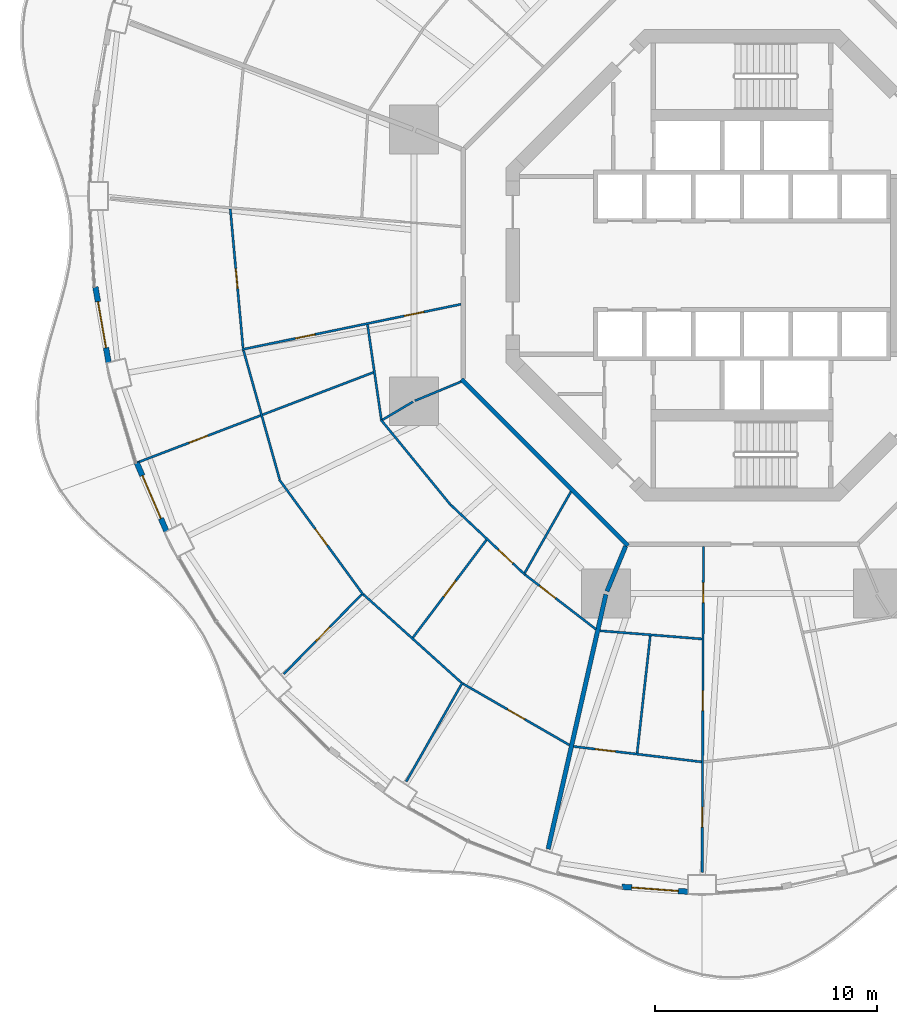
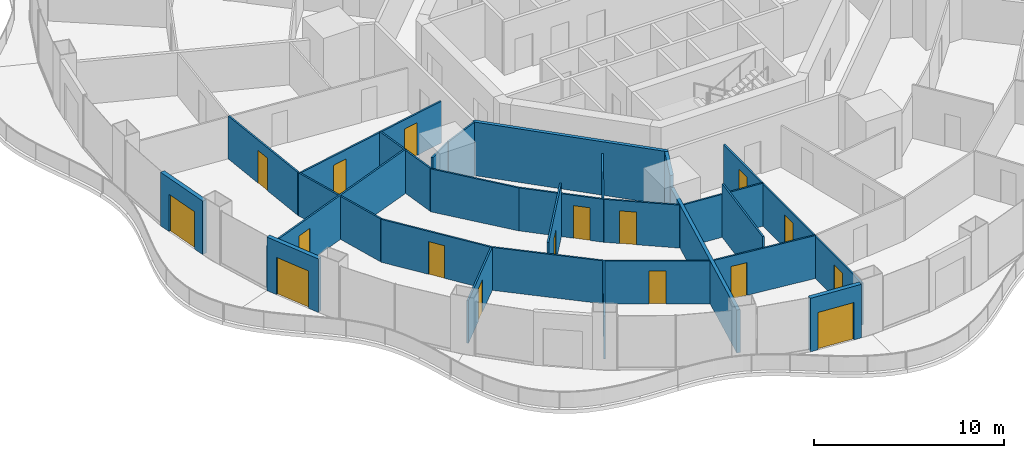
# One storey, part 14 of 22: 27 walls, 17 doors, 17 openings.
"""IFC4 building model written with IfcOpenShell, lengths in metres."""

from ifc_helpers import new_model, si_unit, direction, frame, frame_2d, origin, place, context, subcontext, project, spatial, rectangle, extrude, material, layer, layer_set, type_object, element, fill, save


model = new_model("IFC4")

# Units and contexts
model_context = context("Model", 3, precision=1e-05, world=origin(), true_north=direction((0.0, 1.0)))
body_context = subcontext(model_context, "Body", "Model", "MODEL_VIEW")
ifc_project = project(units=[si_unit("LENGTHUNIT", "METRE"), si_unit("AREAUNIT", "SQUARE_METRE"), si_unit("VOLUMEUNIT", "CUBIC_METRE"), si_unit("PLANEANGLEUNIT", "RADIAN"), si_unit("MASSUNIT", "GRAM", prefix="KILO")], contexts=[model_context])

# Site, building, storey
site_placement = place(None, origin())
site = spatial("IfcSite", under=ifc_project, at=site_placement, CompositionType="ELEMENT")
building_placement = place(site_placement, origin())
building = spatial("IfcBuilding", under=site, at=building_placement, Name="Nagisa Residences", CompositionType="ELEMENT")
storey_placement = place(building_placement, frame((0.0, 0.0, 80.699951171875)))
storey = spatial("IfcBuildingStorey", under=building, at=storey_placement, Name="L19", CompositionType="ELEMENT", Elevation=80.699951171875)

# Walls
ifc_material_1 = material(Name="Gypsum board on steel studs", Category="steel")
ifc_layer_1 = layer(ifc_material_1, 0.199951171875)
ifc_layer_set_1 = layer_set([ifc_layer_1], Name="Apartment compartment wall EI60 200")
wall_type_1 = type_object("IfcWallType", Name="Apartment compartment wall EI60 200", PredefinedType="PARTITIONING", material=ifc_layer_set_1)
wall_1_placement = place(storey_placement, frame((-5.24267578125, -12.6572265625, 0.0), z_axis=(0.0, 0.0, 1.0), x_axis=(-0.382668627144, -0.923885664896, 0.0)))
element("IfcWall", 1, at=wall_1_placement, inside=storey, type_object=wall_type_1, Name="wall:L19:u04", PredefinedType="PARTITIONING", context=body_context, shape_type="SweptSolid", body=[
    extrude(rectangle(XDim=2.200439453125, YDim=0.199951171875, at=frame_2d((1.10009765625, 0.0))), origin(), (0.0, 0.0, 1.0), 3.43994140625),
])
wall_2_placement = place(storey_placement, frame((-6.134033203125, -14.830810546875, 0.0), z_axis=(0.0, 0.0, 1.0), x_axis=(-0.221225405869, -0.975222702667, 0.0)))
element("IfcWall", 2, at=wall_2_placement, inside=storey, type_object=wall_type_1, Name="wall:L19:u05", PredefinedType="PARTITIONING", context=body_context, shape_type="SweptSolid", body=[
    extrude(rectangle(XDim=11.760986328125, YDim=0.199951171875, at=frame_2d((5.88037109375, 0.0))), origin(), (0.0, 0.0, 1.0), 2.761962890625),
])
ifc_material_2 = material(Name="Gypsum board on steel studs", Category="steel")
ifc_layer_2 = layer(ifc_material_2, 0.199951171875)
ifc_layer_set_2 = layer_set([ifc_layer_2], Name="Apartment entry wall EI60 200")
wall_type_2 = type_object("IfcWallType", Name="Apartment entry wall EI60 200", PredefinedType="PARTITIONING", material=ifc_layer_set_2)
wall_3_placement = place(storey_placement, frame((-12.635498046875, -5.1337890625, 0.0), z_axis=(0.0, 0.0, 1.0), x_axis=(0.707106781187, -0.707106781187, 0.0)))
element("IfcWall", 3, at=wall_3_placement, inside=storey, type_object=wall_type_2, Name="wall:L19:u13", PredefinedType="PARTITIONING", context=body_context, shape_type="SweptSolid", body=[
    extrude(rectangle(XDim=10.609130859375, YDim=0.199951171875, at=frame_2d((5.3046875, 0.0))), origin(), (0.0, 0.0, 1.0), 3.43994140625),
])

# Wall, opening, door
ifc_material_3 = material(Name="Gypsum board on steel studs", Category="steel")
ifc_layer_3 = layer(ifc_material_3, 0.10009765625)
ifc_layer_set_3 = layer_set([ifc_layer_3], Name="Apartment partition 100")
wall_type_3 = type_object("IfcWallType", Name="Apartment partition 100", PredefinedType="PARTITIONING", material=ifc_layer_set_3)
wall_4_placement = place(storey_placement, frame((-23.056884765625, 2.54248046875, 0.0), z_axis=(0.0, 0.0, 1.0), x_axis=(0.091380945427, -0.995816008514, 0.0)))
wall_4 = element("IfcWall", 4, at=wall_4_placement, inside=storey, type_object=wall_type_3, Name="wall:L19:u56", PredefinedType="PARTITIONING", context=body_context, shape_type="SweptSolid", body=[
    extrude(rectangle(XDim=6.302490234375, YDim=0.10009765625, at=frame_2d((3.1513671875, 0.0))), origin(), (0.0, 0.0, 1.0), 2.761962890625),
])
opening_1_placement = place(wall_4_placement, frame((2.701171875, 0.0, 0.0)))
opening_1 = element("IfcOpeningElement", 5, at=opening_1_placement, cuts=wall_4, Name="Opening L19-U28", PredefinedType="OPENING", context=body_context, shape_type="SweptSolid", body=[
    extrude(rectangle(XDim=0.89990234375, YDim=2.10009765625, at=frame_2d((0.449951171875, 1.050048828125))), frame((0.0, 0.06005859375, 0.0), z_axis=(0.0, -1.0, 0.0), x_axis=(1.0, 0.0, 0.0)), (0.0, 0.0, 1.0), 0.1201171875),
])
ifc_material_4 = material(Name="Timber door set", Category="wood")
door_type_1 = type_object("IfcDoorType", Name="Apartment door 900x2100", OperationType="NOTDEFINED", PredefinedType="DOOR", material=ifc_material_4)
door_1_placement = place(opening_1_placement, frame((0.89990234375, 0.0, 0.0), x_axis=(-1.0, 0.0, 0.0)))
door_1 = element("IfcDoor", 6, at=door_1_placement, inside=storey, type_object=door_type_1, Name="Door to family room, Apartment 19B", OperationType="SINGLE_SWING_LEFT", OverallHeight=2.10009765625, OverallWidth=0.89990234375, PredefinedType="DOOR", context=body_context, shape_type="SweptSolid", body=[
    extrude(rectangle(XDim=0.89990234375, YDim=2.10009765625, at=frame_2d((0.449951171875, 1.050048828125))), frame((0.0, 0.02490234375, 0.0), z_axis=(0.0, -1.0, 0.0), x_axis=(1.0, 0.0, 0.0)), (0.0, 0.0, 1.0), 0.050048828125),
])
fill(opening_1, door_1)

# Wall, openings, doors
wall_5_placement = place(storey_placement, frame((-12.66259765625, -1.755126953125, 0.0), z_axis=(0.0, 0.0, 1.0), x_axis=(-0.979304677471, -0.202391572657, 0.0)))
wall_5 = element("IfcWall", 7, at=wall_5_placement, inside=storey, type_object=wall_type_3, Name="wall:L19:u57", PredefinedType="PARTITIONING", context=body_context, shape_type="SweptSolid", body=[
    extrude(rectangle(XDim=10.0712890625, YDim=0.10009765625, at=frame_2d((5.03564453125, 0.0))), origin(), (0.0, 0.0, 1.0), 2.68701171875),
])
opening_2_placement = place(wall_5_placement, frame((1.703857421875, 0.0, 0.0)))
opening_2 = element("IfcOpeningElement", 8, at=opening_2_placement, cuts=wall_5, Name="Opening L19-U24", PredefinedType="OPENING", context=body_context, shape_type="SweptSolid", body=[
    extrude(rectangle(XDim=0.89990234375, YDim=2.10009765625, at=frame_2d((0.449951171875, 1.050048828125))), frame((0.0, 0.06005859375, 0.0), z_axis=(0.0, -1.0, 0.0), x_axis=(1.0, 0.0, 0.0)), (0.0, 0.0, 1.0), 0.1201171875),
])
opening_3_placement = place(wall_5_placement, frame((6.71435546875, 0.0, 0.0)))
opening_3 = element("IfcOpeningElement", 9, at=opening_3_placement, cuts=wall_5, Name="Opening L19-U26", PredefinedType="OPENING", context=body_context, shape_type="SweptSolid", body=[
    extrude(rectangle(XDim=0.89990234375, YDim=2.10009765625, at=frame_2d((0.449951171875, 1.050048828125))), frame((0.0, 0.06005859375, 0.0), z_axis=(0.0, -1.0, 0.0), x_axis=(1.0, 0.0, 0.0)), (0.0, 0.0, 1.0), 0.1201171875),
])
door_2_placement = place(opening_2_placement, origin())
door_2 = element("IfcDoor", 10, at=door_2_placement, inside=storey, type_object=door_type_1, Name="Door to family bathroom, Apartment 19B", OperationType="SINGLE_SWING_RIGHT", OverallHeight=2.10009765625, OverallWidth=0.89990234375, PredefinedType="DOOR", context=body_context, shape_type="SweptSolid", body=[
    extrude(rectangle(XDim=0.89990234375, YDim=2.10009765625, at=frame_2d((0.449951171875, 1.050048828125))), frame((0.0, 0.02490234375, 0.0), z_axis=(0.0, -1.0, 0.0), x_axis=(1.0, 0.0, 0.0)), (0.0, 0.0, 1.0), 0.050048828125),
])
fill(opening_2, door_2)
door_3_placement = place(opening_3_placement, origin())
door_3 = element("IfcDoor", 11, at=door_3_placement, inside=storey, type_object=door_type_1, Name="Door to family bathroom, Apartment 19B", OperationType="SINGLE_SWING_RIGHT", OverallHeight=2.10009765625, OverallWidth=0.89990234375, PredefinedType="DOOR", context=body_context, shape_type="SweptSolid", body=[
    extrude(rectangle(XDim=0.89990234375, YDim=2.10009765625, at=frame_2d((0.449951171875, 1.050048828125))), frame((0.0, 0.02490234375, 0.0), z_axis=(0.0, -1.0, 0.0), x_axis=(1.0, 0.0, 0.0)), (0.0, 0.0, 1.0), 0.050048828125),
])
fill(opening_3, door_3)

# Walls
wall_6_placement = place(storey_placement, frame((-16.8740234375, -2.676513671875, 0.0), z_axis=(0.0, 0.0, 1.0), x_axis=(0.144260658133, -0.989539722555, 0.0)))
element("IfcWall", 12, at=wall_6_placement, inside=storey, type_object=wall_type_3, Name="wall:L19:u58", PredefinedType="PARTITIONING", context=body_context, shape_type="SweptSolid", body=[
    extrude(rectangle(XDim=4.308837890625, YDim=0.10009765625, at=frame_2d((2.154296875, 0.0))), origin(), (0.0, 0.0, 1.0), 2.761962890625),
])
wall_7_placement = place(storey_placement, frame((-22.462890625, -3.83154296875, 0.0), z_axis=(0.0, 0.0, 1.0), x_axis=(0.269797759333, -0.962917010473, 0.0)))
element("IfcWall", 13, at=wall_7_placement, inside=storey, type_object=wall_type_3, Name="wall:L19:u59", PredefinedType="PARTITIONING", context=body_context, shape_type="SweptSolid", body=[
    extrude(rectangle(XDim=6.04296875, YDim=0.10009765625, at=frame_2d((3.021484375, 0.0))), origin(), (0.0, 0.0, 1.0), 2.761962890625),
])

# Wall, opening, door
wall_8_placement = place(storey_placement, frame((-16.60986328125, -4.826171875, 0.0), z_axis=(0.0, 0.0, 1.0), x_axis=(-0.934174502909, -0.356816476798, 0.0)))
wall_8 = element("IfcWall", 14, at=wall_8_placement, inside=storey, type_object=wall_type_3, Name="wall:L19:u60", PredefinedType="PARTITIONING", context=body_context, shape_type="SweptSolid", body=[
    extrude(rectangle(XDim=11.496337890625, YDim=0.10009765625, at=frame_2d((5.748046875, 0.0))), origin(), (0.0, 0.0, 1.0), 2.837158203125),
])
opening_4_placement = place(wall_8_placement, frame((7.992919921875, 0.0, 0.0)))
opening_4 = element("IfcOpeningElement", 15, at=opening_4_placement, cuts=wall_8, Name="Opening L19-U29", PredefinedType="OPENING", context=body_context, shape_type="SweptSolid", body=[
    extrude(rectangle(XDim=0.89990234375, YDim=2.10009765625, at=frame_2d((0.449951171875, 1.050048828125))), frame((0.0, 0.06005859375, 0.0), z_axis=(0.0, -1.0, 0.0), x_axis=(1.0, 0.0, 0.0)), (0.0, 0.0, 1.0), 0.1201171875),
])
door_4_placement = place(opening_4_placement, origin())
door_4 = element("IfcDoor", 16, at=door_4_placement, inside=storey, type_object=door_type_1, Name="Door to dining room, Apartment 19B", OperationType="SINGLE_SWING_LEFT", OverallHeight=2.10009765625, OverallWidth=0.89990234375, PredefinedType="DOOR", context=body_context, shape_type="SweptSolid", body=[
    extrude(rectangle(XDim=0.89990234375, YDim=2.10009765625, at=frame_2d((0.449951171875, 1.050048828125))), frame((0.0, 0.02490234375, 0.0), z_axis=(0.0, -1.0, 0.0), x_axis=(1.0, 0.0, 0.0)), (0.0, 0.0, 1.0), 0.050048828125),
])
fill(opening_4, door_4)

# Walls
wall_9_placement = place(storey_placement, frame((-12.6572265625, -5.24267578125, 0.0), z_axis=(0.0, 0.0, 1.0), x_axis=(-0.923864733477, -0.382719158442, 0.0)))
element("IfcWall", 17, at=wall_9_placement, inside=storey, type_object=wall_type_3, Name="wall:L19:u61", PredefinedType="PARTITIONING", context=body_context, shape_type="SweptSolid", body=[
    extrude(rectangle(XDim=2.25, YDim=0.10009765625, at=frame_2d((1.125, 0.0))), origin(), (0.0, 0.0, 1.0), 3.43994140625),
])
wall_10_placement = place(storey_placement, frame((-14.824951171875, -6.1484375, 0.0), z_axis=(0.0, 0.0, 1.0), x_axis=(-0.860452514841, -0.509530636669, 0.0)))
element("IfcWall", 18, at=wall_10_placement, inside=storey, type_object=wall_type_3, Name="wall:L19:u62", PredefinedType="PARTITIONING", context=body_context, shape_type="SweptSolid", body=[
    extrude(rectangle(XDim=1.600830078125, YDim=0.10009765625, at=frame_2d((0.80029296875, 0.0))), origin(), (0.0, 0.0, 1.0), 3.43994140625),
])
wall_11_placement = place(storey_placement, frame((-16.277099609375, -6.950927734375, 0.0), z_axis=(0.0, 0.0, 1.0), x_axis=(0.633427340372, -0.773802173988, 0.0)))
element("IfcWall", 19, at=wall_11_placement, inside=storey, type_object=wall_type_3, Name="wall:L19:u63", PredefinedType="PARTITIONING", context=body_context, shape_type="SweptSolid", body=[
    extrude(rectangle(XDim=4.979248046875, YDim=0.10009765625, at=frame_2d((2.48974609375, 0.0))), origin(), (0.0, 0.0, 1.0), 2.761962890625),
])

# Wall, opening, door
wall_12_placement = place(storey_placement, frame((-20.848388671875, -9.658203125, 0.0), z_axis=(0.0, 0.0, 1.0), x_axis=(0.5895799361, -0.807710033953, 0.0)))
wall_12 = element("IfcWall", 20, at=wall_12_placement, inside=storey, type_object=wall_type_3, Name="wall:L19:u64", PredefinedType="PARTITIONING", context=body_context, shape_type="SweptSolid", body=[
    extrude(rectangle(XDim=6.40771484375, YDim=0.10009765625, at=frame_2d((3.203857421875, 0.0))), origin(), (0.0, 0.0, 1.0), 2.761962890625),
])
opening_5_placement = place(wall_12_placement, frame((2.75390625, 0.0, 0.0)))
opening_5 = element("IfcOpeningElement", 21, at=opening_5_placement, cuts=wall_12, Name="Opening L19-U31", PredefinedType="OPENING", context=body_context, shape_type="SweptSolid", body=[
    extrude(rectangle(XDim=0.89990234375, YDim=2.10009765625, at=frame_2d((0.449951171875, 1.050048828125))), frame((0.0, 0.06005859375, 0.0), z_axis=(0.0, -1.0, 0.0), x_axis=(1.0, 0.0, 0.0)), (0.0, 0.0, 1.0), 0.1201171875),
])
door_5_placement = place(opening_5_placement, origin())
door_5 = element("IfcDoor", 22, at=door_5_placement, inside=storey, type_object=door_type_1, Name="Door to dining room, Apartment 19B", OperationType="SINGLE_SWING_LEFT", OverallHeight=2.10009765625, OverallWidth=0.89990234375, PredefinedType="DOOR", context=body_context, shape_type="SweptSolid", body=[
    extrude(rectangle(XDim=0.89990234375, YDim=2.10009765625, at=frame_2d((0.449951171875, 1.050048828125))), frame((0.0, 0.02490234375, 0.0), z_axis=(0.0, -1.0, 0.0), x_axis=(1.0, 0.0, 0.0)), (0.0, 0.0, 1.0), 0.050048828125),
])
fill(opening_5, door_5)

wall_13_placement = place(storey_placement, frame((-13.118408203125, -10.799560546875, 0.0), z_axis=(0.0, 0.0, 1.0), x_axis=(0.72818280142, -0.685382964273, 0.0)))
wall_13 = element("IfcWall", 23, at=wall_13_placement, inside=storey, type_object=wall_type_3, Name="wall:L19:u65", PredefinedType="PARTITIONING", context=body_context, shape_type="SweptSolid", body=[
    extrude(rectangle(XDim=4.586181640625, YDim=0.10009765625, at=frame_2d((2.29296875, 0.0))), origin(), (0.0, 0.0, 1.0), 2.761962890625),
])
opening_6_placement = place(wall_13_placement, frame((2.939697265625, 0.0, 0.0)))
opening_6 = element("IfcOpeningElement", 24, at=opening_6_placement, cuts=wall_13, Name="Opening L19-U34", PredefinedType="OPENING", context=body_context, shape_type="SweptSolid", body=[
    extrude(rectangle(XDim=0.89990234375, YDim=2.10009765625, at=frame_2d((0.449951171875, 1.050048828125))), frame((0.0, 0.06005859375, 0.0), z_axis=(0.0, -1.0, 0.0), x_axis=(1.0, 0.0, 0.0)), (0.0, 0.0, 1.0), 0.1201171875),
])
door_6_placement = place(opening_6_placement, origin())
door_6 = element("IfcDoor", 25, at=door_6_placement, inside=storey, type_object=door_type_1, Name="Door to store, Apartment 19B", OperationType="SINGLE_SWING_RIGHT", OverallHeight=2.10009765625, OverallWidth=0.89990234375, PredefinedType="DOOR", context=body_context, shape_type="SweptSolid", body=[
    extrude(rectangle(XDim=0.89990234375, YDim=2.10009765625, at=frame_2d((0.449951171875, 1.050048828125))), frame((0.0, 0.02490234375, 0.0), z_axis=(0.0, -1.0, 0.0), x_axis=(1.0, 0.0, 0.0)), (0.0, 0.0, 1.0), 0.050048828125),
])
fill(opening_6, door_6)

wall_14_placement = place(storey_placement, frame((-17.135009765625, -14.8291015625, 0.0), z_axis=(0.0, 0.0, 1.0), x_axis=(-0.699702869429, -0.714433967917, 0.0)))
wall_14 = element("IfcWall", 26, at=wall_14_placement, inside=storey, type_object=wall_type_3, Name="wall:L19:u66", PredefinedType="PARTITIONING", context=body_context, shape_type="SweptSolid", body=[
    extrude(rectangle(XDim=5.021728515625, YDim=0.10009765625, at=frame_2d((2.5107421875, 0.0))), origin(), (0.0, 0.0, 1.0), 2.761962890625),
])
opening_7_placement = place(wall_14_placement, frame((2.060791015625, 0.0, 0.0)))
opening_7 = element("IfcOpeningElement", 27, at=opening_7_placement, cuts=wall_14, Name="Opening L19-U30", PredefinedType="OPENING", context=body_context, shape_type="SweptSolid", body=[
    extrude(rectangle(XDim=0.89990234375, YDim=2.10009765625, at=frame_2d((0.449951171875, 1.050048828125))), frame((0.0, 0.06005859375, 0.0), z_axis=(0.0, -1.0, 0.0), x_axis=(1.0, 0.0, 0.0)), (0.0, 0.0, 1.0), 0.1201171875),
])
door_7_placement = place(opening_7_placement, origin())
door_7 = element("IfcDoor", 28, at=door_7_placement, inside=storey, type_object=door_type_1, Name="Door to master bedroom, Apartment 19B", OperationType="SINGLE_SWING_RIGHT", OverallHeight=2.10009765625, OverallWidth=0.89990234375, PredefinedType="DOOR", context=body_context, shape_type="SweptSolid", body=[
    extrude(rectangle(XDim=0.89990234375, YDim=2.10009765625, at=frame_2d((0.449951171875, 1.050048828125))), frame((0.0, 0.02490234375, 0.0), z_axis=(0.0, -1.0, 0.0), x_axis=(1.0, 0.0, 0.0)), (0.0, 0.0, 1.0), 0.050048828125),
])
fill(opening_7, door_7)

# Wall
wall_15_placement = place(storey_placement, frame((-17.062744140625, -14.826904296875, 0.0), z_axis=(0.0, 0.0, 1.0), x_axis=(0.743478142868, -0.668760234373, 0.0)))
element("IfcWall", 29, at=wall_15_placement, inside=storey, type_object=wall_type_3, Name="wall:L19:u67", PredefinedType="PARTITIONING", context=body_context, shape_type="SweptSolid", body=[
    extrude(rectangle(XDim=5.93701171875, YDim=0.10009765625, at=frame_2d((2.968505859375, 0.0))), origin(), (0.0, 0.0, 1.0), 2.761962890625),
])

# Wall, opening, door
wall_16_placement = place(storey_placement, frame((-11.51513671875, -12.376953125, 0.0), z_axis=(0.0, 0.0, 1.0), x_axis=(-0.60163860397, -0.798768420891, 0.0)))
wall_16 = element("IfcWall", 30, at=wall_16_placement, inside=storey, type_object=wall_type_3, Name="wall:L19:u68", PredefinedType="PARTITIONING", context=body_context, shape_type="SweptSolid", body=[
    extrude(rectangle(XDim=5.50244140625, YDim=0.10009765625, at=frame_2d((2.751220703125, 0.0))), origin(), (0.0, 0.0, 1.0), 3.43994140625),
])
opening_8_placement = place(wall_16_placement, frame((2.30126953125, 0.0, 0.0)))
opening_8 = element("IfcOpeningElement", 31, at=opening_8_placement, cuts=wall_16, Name="Opening L19-U32", PredefinedType="OPENING", context=body_context, shape_type="SweptSolid", body=[
    extrude(rectangle(XDim=0.89990234375, YDim=2.10009765625, at=frame_2d((0.449951171875, 1.050048828125))), frame((0.0, 0.06005859375, 0.0), z_axis=(0.0, -1.0, 0.0), x_axis=(1.0, 0.0, 0.0)), (0.0, 0.0, 1.0), 0.1201171875),
])
door_8_placement = place(opening_8_placement, origin())
door_8 = element("IfcDoor", 32, at=door_8_placement, inside=storey, type_object=door_type_1, Name="Door to kitchen, Apartment 19B", OperationType="SINGLE_SWING_RIGHT", OverallHeight=2.10009765625, OverallWidth=0.89990234375, PredefinedType="DOOR", context=body_context, shape_type="SweptSolid", body=[
    extrude(rectangle(XDim=0.89990234375, YDim=2.10009765625, at=frame_2d((0.449951171875, 1.050048828125))), frame((0.0, 0.02490234375, 0.0), z_axis=(0.0, -1.0, 0.0), x_axis=(1.0, 0.0, 0.0)), (0.0, 0.0, 1.0), 0.050048828125),
])
fill(opening_8, door_8)

# Wall
wall_17_placement = place(storey_placement, frame((-7.707275390625, -10.1982421875, 0.0), z_axis=(0.0, 0.0, 1.0), x_axis=(-0.493986531217, -0.869469554945, 0.0)))
element("IfcWall", 33, at=wall_17_placement, inside=storey, type_object=wall_type_3, Name="wall:L19:u69", PredefinedType="PARTITIONING", context=body_context, shape_type="SweptSolid", body=[
    extrude(rectangle(XDim=4.21728515625, YDim=0.10009765625, at=frame_2d((2.108642578125, 0.0))), origin(), (0.0, 0.0, 1.0), 2.68701171875),
])

# Wall, opening, door
wall_18_placement = place(storey_placement, frame((-9.775390625, -13.93896484375, 0.0), z_axis=(0.0, 0.0, 1.0), x_axis=(0.792162117554, -0.610310723741, 0.0)))
wall_18 = element("IfcWall", 34, at=wall_18_placement, inside=storey, type_object=wall_type_3, Name="wall:L19:u70", PredefinedType="PARTITIONING", context=body_context, shape_type="SweptSolid", body=[
    extrude(rectangle(XDim=4.0302734375, YDim=0.10009765625, at=frame_2d((2.01513671875, 0.0))), origin(), (0.0, 0.0, 1.0), 2.761962890625),
])
opening_9_placement = place(wall_18_placement, frame((0.836181640625, 0.0, 0.0)))
opening_9 = element("IfcOpeningElement", 35, at=opening_9_placement, cuts=wall_18, Name="Opening L19-U35", PredefinedType="OPENING", context=body_context, shape_type="SweptSolid", body=[
    extrude(rectangle(XDim=0.89990234375, YDim=2.10009765625, at=frame_2d((0.449951171875, 1.050048828125))), frame((0.0, 0.06005859375, 0.0), z_axis=(0.0, -1.0, 0.0), x_axis=(1.0, 0.0, 0.0)), (0.0, 0.0, 1.0), 0.1201171875),
])
door_9_placement = place(opening_9_placement, origin())
door_9 = element("IfcDoor", 36, at=door_9_placement, inside=storey, type_object=door_type_1, Name="Door to laundry, Apartment 19B", OperationType="SINGLE_SWING_LEFT", OverallHeight=2.10009765625, OverallWidth=0.89990234375, PredefinedType="DOOR", context=body_context, shape_type="SweptSolid", body=[
    extrude(rectangle(XDim=0.89990234375, YDim=2.10009765625, at=frame_2d((0.449951171875, 1.050048828125))), frame((0.0, 0.02490234375, 0.0), z_axis=(0.0, -1.0, 0.0), x_axis=(1.0, 0.0, 0.0)), (0.0, 0.0, 1.0), 0.050048828125),
])
fill(opening_9, door_9)

# Wall
wall_19_placement = place(storey_placement, frame((-12.586669921875, -18.787353515625, 0.0), z_axis=(0.0, 0.0, 1.0), x_axis=(-0.493966211317, -0.869481099321, 0.0)))
element("IfcWall", 37, at=wall_19_placement, inside=storey, type_object=wall_type_3, Name="wall:L19:u71", PredefinedType="PARTITIONING", context=body_context, shape_type="SweptSolid", body=[
    extrude(rectangle(XDim=5.146484375, YDim=0.10009765625, at=frame_2d((2.5732421875, 0.0))), origin(), (0.0, 0.0, 1.0), 2.761962890625),
])

# Wall, opening, door
wall_20_placement = place(storey_placement, frame((-12.568115234375, -18.855712890625, 0.0), z_axis=(0.0, 0.0, 1.0), x_axis=(0.866533437451, -0.499119025664, 0.0)))
wall_20 = element("IfcWall", 38, at=wall_20_placement, inside=storey, type_object=wall_type_3, Name="wall:L19:u72", PredefinedType="PARTITIONING", context=body_context, shape_type="SweptSolid", body=[
    extrude(rectangle(XDim=5.53515625, YDim=0.10009765625, at=frame_2d((2.767578125, 0.0))), origin(), (0.0, 0.0, 1.0), 2.761962890625),
])
opening_10_placement = place(wall_20_placement, frame((2.3173828125, 0.0, 0.0)))
opening_10 = element("IfcOpeningElement", 39, at=opening_10_placement, cuts=wall_20, Name="Opening L19-U33", PredefinedType="OPENING", context=body_context, shape_type="SweptSolid", body=[
    extrude(rectangle(XDim=0.89990234375, YDim=2.10009765625, at=frame_2d((0.449951171875, 1.050048828125))), frame((0.0, 0.06005859375, 0.0), z_axis=(0.0, -1.0, 0.0), x_axis=(1.0, 0.0, 0.0)), (0.0, 0.0, 1.0), 0.1201171875),
])
door_10_placement = place(opening_10_placement, frame((0.89990234375, 0.0, 0.0), x_axis=(-1.0, 0.0, 0.0)))
door_10 = element("IfcDoor", 40, at=door_10_placement, inside=storey, type_object=door_type_1, Name="Door to bedroom, Apartment 19B", OperationType="SINGLE_SWING_RIGHT", OverallHeight=2.10009765625, OverallWidth=0.89990234375, PredefinedType="DOOR", context=body_context, shape_type="SweptSolid", body=[
    extrude(rectangle(XDim=0.89990234375, YDim=2.10009765625, at=frame_2d((0.449951171875, 1.050048828125))), frame((0.0, 0.02490234375, 0.0), z_axis=(0.0, -1.0, 0.0), x_axis=(1.0, 0.0, 0.0)), (0.0, 0.0, 1.0), 0.050048828125),
])
fill(opening_10, door_10)

# Wall
wall_21_placement = place(storey_placement, frame((-6.40380859375, -16.467529296875, 0.0), z_axis=(0.0, 0.0, 1.0), x_axis=(0.996818808981, -0.079701079432, 0.0)))
element("IfcWall", 41, at=wall_21_placement, inside=storey, type_object=wall_type_3, Name="wall:L19:u73", PredefinedType="PARTITIONING", context=body_context, shape_type="SweptSolid", body=[
    extrude(rectangle(XDim=4.6162109375, YDim=0.10009765625, at=frame_2d((2.30810546875, 0.0))), origin(), (0.0, 0.0, 1.0), 2.761962890625),
])

# Wall, opening, door
wall_22_placement = place(storey_placement, frame((-7.5859375, -21.680419921875, 0.0), z_axis=(0.0, 0.0, 1.0), x_axis=(0.992810189026, -0.119699325668, 0.0)))
wall_22 = element("IfcWall", 42, at=wall_22_placement, inside=storey, type_object=wall_type_3, Name="wall:L19:u74", PredefinedType="PARTITIONING", context=body_context, shape_type="SweptSolid", body=[
    extrude(rectangle(XDim=5.802734375, YDim=0.10009765625, at=frame_2d((2.9013671875, 0.0))), origin(), (0.0, 0.0, 1.0), 2.761962890625),
])
opening_11_placement = place(wall_22_placement, frame((0.98828125, 0.0, 0.0)))
opening_11 = element("IfcOpeningElement", 43, at=opening_11_placement, cuts=wall_22, Name="Opening L19-U47", PredefinedType="OPENING", context=body_context, shape_type="SweptSolid", body=[
    extrude(rectangle(XDim=0.89990234375, YDim=2.10009765625, at=frame_2d((0.449951171875, 1.050048828125))), frame((0.0, 0.06005859375, 0.0), z_axis=(0.0, -1.0, 0.0), x_axis=(1.0, 0.0, 0.0)), (0.0, 0.0, 1.0), 0.1201171875),
])
door_11_placement = place(opening_11_placement, origin())
door_11 = element("IfcDoor", 44, at=door_11_placement, inside=storey, type_object=door_type_1, Name="Door to en-suite bathroom, Apartment 19C", OperationType="SINGLE_SWING_LEFT", OverallHeight=2.10009765625, OverallWidth=0.89990234375, PredefinedType="DOOR", context=body_context, shape_type="SweptSolid", body=[
    extrude(rectangle(XDim=0.89990234375, YDim=2.10009765625, at=frame_2d((0.449951171875, 1.050048828125))), frame((0.0, 0.02490234375, 0.0), z_axis=(0.0, -1.0, 0.0), x_axis=(1.0, 0.0, 0.0)), (0.0, 0.0, 1.0), 0.050048828125),
])
fill(opening_11, door_11)

# Wall
wall_23_placement = place(storey_placement, frame((-4.133544921875, -16.69921875, 0.0), z_axis=(0.0, 0.0, 1.0), x_axis=(-0.111340048649, -0.993782367305, 0.0)))
element("IfcWall", 45, at=wall_23_placement, inside=storey, type_object=wall_type_3, Name="wall:L19:u75", PredefinedType="PARTITIONING", context=body_context, shape_type="SweptSolid", body=[
    extrude(rectangle(XDim=5.30859375, YDim=0.10009765625, at=frame_2d((2.654296875, 0.0))), origin(), (0.0, 0.0, 1.0), 3.43994140625),
])

# Wall, openings, doors
wall_24_placement = place(storey_placement, frame((-1.7353515625, -12.664794921875, 0.0), z_axis=(0.0, 0.0, 1.0), x_axis=(-0.004107048833, -0.999991566039, 0.0)))
wall_24 = element("IfcWall", 46, at=wall_24_placement, inside=storey, type_object=wall_type_3, Name="wall:L19:u76", PredefinedType="PARTITIONING", context=body_context, shape_type="SweptSolid", body=[
    extrude(rectangle(XDim=14.682861328125, YDim=0.10009765625, at=frame_2d((7.34130859375, 0.0))), origin(), (0.0, 0.0, 1.0), 2.68701171875),
])
opening_12_placement = place(wall_24_placement, frame((1.637451171875, 0.0, 0.0)))
opening_12 = element("IfcOpeningElement", 47, at=opening_12_placement, cuts=wall_24, Name="Opening L19-U37", PredefinedType="OPENING", context=body_context, shape_type="SweptSolid", body=[
    extrude(rectangle(XDim=0.89990234375, YDim=2.10009765625, at=frame_2d((0.449951171875, 1.050048828125))), frame((0.0, 0.06005859375, 0.0), z_axis=(0.0, -1.0, 0.0), x_axis=(1.0, 0.0, 0.0)), (0.0, 0.0, 1.0), 0.1201171875),
])
opening_13_placement = place(wall_24_placement, frame((6.49560546875, 0.0, 0.0)))
opening_13 = element("IfcOpeningElement", 48, at=opening_13_placement, cuts=wall_24, Name="Opening L19-U39", PredefinedType="OPENING", context=body_context, shape_type="SweptSolid", body=[
    extrude(rectangle(XDim=0.89990234375, YDim=2.10009765625, at=frame_2d((0.449951171875, 1.050048828125))), frame((0.0, 0.06005859375, 0.0), z_axis=(0.0, -1.0, 0.0), x_axis=(1.0, 0.0, 0.0)), (0.0, 0.0, 1.0), 0.1201171875),
])
opening_14_placement = place(wall_24_placement, frame((11.74951171875, 0.0, 0.0)))
opening_14 = element("IfcOpeningElement", 49, at=opening_14_placement, cuts=wall_24, Name="Opening L19-U46", PredefinedType="OPENING", context=body_context, shape_type="SweptSolid", body=[
    extrude(rectangle(XDim=0.89990234375, YDim=2.10009765625, at=frame_2d((0.449951171875, 1.050048828125))), frame((0.0, 0.06005859375, 0.0), z_axis=(0.0, -1.0, 0.0), x_axis=(1.0, 0.0, 0.0)), (0.0, 0.0, 1.0), 0.1201171875),
])
door_12_placement = place(opening_12_placement, frame((0.89990234375, 0.0, 0.0), x_axis=(-1.0, 0.0, 0.0)))
door_12 = element("IfcDoor", 50, at=door_12_placement, inside=storey, type_object=door_type_1, Name="Door to laundry, Apartment 19C", OperationType="SINGLE_SWING_RIGHT", OverallHeight=2.10009765625, OverallWidth=0.89990234375, PredefinedType="DOOR", context=body_context, shape_type="SweptSolid", body=[
    extrude(rectangle(XDim=0.89990234375, YDim=2.10009765625, at=frame_2d((0.449951171875, 1.050048828125))), frame((0.0, 0.02490234375, 0.0), z_axis=(0.0, -1.0, 0.0), x_axis=(1.0, 0.0, 0.0)), (0.0, 0.0, 1.0), 0.050048828125),
])
fill(opening_12, door_12)
door_13_placement = place(opening_13_placement, frame((0.89990234375, 0.0, 0.0), x_axis=(-1.0, 0.0, 0.0)))
door_13 = element("IfcDoor", 51, at=door_13_placement, inside=storey, type_object=door_type_1, Name="Door to family bathroom, Apartment 19C", OperationType="SINGLE_SWING_RIGHT", OverallHeight=2.10009765625, OverallWidth=0.89990234375, PredefinedType="DOOR", context=body_context, shape_type="SweptSolid", body=[
    extrude(rectangle(XDim=0.89990234375, YDim=2.10009765625, at=frame_2d((0.449951171875, 1.050048828125))), frame((0.0, 0.02490234375, 0.0), z_axis=(0.0, -1.0, 0.0), x_axis=(1.0, 0.0, 0.0)), (0.0, 0.0, 1.0), 0.050048828125),
])
fill(opening_13, door_13)
door_14_placement = place(opening_14_placement, frame((0.89990234375, 0.0, 0.0), x_axis=(-1.0, 0.0, 0.0)))
door_14 = element("IfcDoor", 52, at=door_14_placement, inside=storey, type_object=door_type_1, Name="Door to master bedroom, Apartment 19C", OperationType="SINGLE_SWING_LEFT", OverallHeight=2.10009765625, OverallWidth=0.89990234375, PredefinedType="DOOR", context=body_context, shape_type="SweptSolid", body=[
    extrude(rectangle(XDim=0.89990234375, YDim=2.10009765625, at=frame_2d((0.449951171875, 1.050048828125))), frame((0.0, 0.02490234375, 0.0), z_axis=(0.0, -1.0, 0.0), x_axis=(1.0, 0.0, 0.0)), (0.0, 0.0, 1.0), 0.050048828125),
])
fill(opening_14, door_14)

# Wall, opening, door
ifc_material_5 = material(Name="Precast concrete C40/50", Category="concrete")
ifc_layer_4 = layer(ifc_material_5, 0.25)
ifc_layer_set_4 = layer_set([ifc_layer_4], Name="BALCONY DOOR WALL 250")
wall_type_4 = type_object("IfcWallType", Name="BALCONY DOOR WALL 250", PredefinedType="SOLIDWALL", material=ifc_layer_set_4)
wall_25_placement = place(storey_placement, frame((-28.5400390625, -4.377197265625, 0.0), z_axis=(0.0, 0.0, 1.0), x_axis=(-0.17223289558, 0.985056257114, 0.0)))
wall_25 = element("IfcWall", 53, at=wall_25_placement, inside=storey, type_object=wall_type_4, Name="wall:L19:bay25", PredefinedType="SOLIDWALL", context=body_context, shape_type="SweptSolid", body=[
    extrude(rectangle(XDim=3.454345703125, YDim=0.25, at=frame_2d((1.72705078125, 0.0))), origin(), (0.0, 0.0, 1.0), 3.43994140625),
])
opening_15_placement = place(wall_25_placement, frame((0.67724609375, 0.0, 0.0)))
opening_15 = element("IfcOpeningElement", 54, at=opening_15_placement, cuts=wall_25, Name="Opening BD-L19-09", PredefinedType="OPENING", context=body_context, shape_type="SweptSolid", body=[
    extrude(rectangle(XDim=2.10009765625, YDim=2.39990234375, at=frame_2d((1.050048828125, 1.199951171875))), frame((0.0, 0.135009765625, 0.0), z_axis=(0.0, -1.0, 0.0), x_axis=(1.0, 0.0, 0.0)), (0.0, 0.0, 1.0), 0.27001953125),
])
ifc_material_6 = material(Name="Aluminium and clear glass", Category="aluminium")
door_type_2 = type_object("IfcDoorType", Name="BALCONY SLIDING DOOR 2100x2400", OperationType="SLIDING_TO_LEFT", PredefinedType="DOOR", material=ifc_material_6)
door_15_placement = place(opening_15_placement, origin())
door_15 = element("IfcDoor", 55, at=door_15_placement, inside=storey, type_object=door_type_2, Name="door:L19:bay25", OperationType="SLIDING_TO_LEFT", OverallHeight=2.39990234375, OverallWidth=2.10009765625, PredefinedType="DOOR", context=body_context, shape_type="SweptSolid", body=[
    extrude(rectangle(XDim=2.10009765625, YDim=2.39990234375, at=frame_2d((1.050048828125, 1.199951171875))), frame((0.0, 0.02490234375, 0.0), z_axis=(0.0, -1.0, 0.0), x_axis=(1.0, 0.0, 0.0)), (0.0, 0.0, 1.0), 0.050048828125),
])
fill(opening_15, door_15)

wall_26_placement = place(storey_placement, frame((-25.92822265625, -11.99365234375, 0.0), z_axis=(0.0, 0.0, 1.0), x_axis=(-0.397682447205, 0.917523117521, 0.0)))
wall_26 = element("IfcWall", 56, at=wall_26_placement, inside=storey, type_object=wall_type_4, Name="wall:L19:bay27", PredefinedType="SOLIDWALL", context=body_context, shape_type="SweptSolid", body=[
    extrude(rectangle(XDim=3.379638671875, YDim=0.25, at=frame_2d((1.68994140625, 0.0))), origin(), (0.0, 0.0, 1.0), 3.43994140625),
])
opening_16_placement = place(wall_26_placement, frame((0.6396484375, 0.0, 0.0)))
opening_16 = element("IfcOpeningElement", 57, at=opening_16_placement, cuts=wall_26, Name="Opening BD-L19-10", PredefinedType="OPENING", context=body_context, shape_type="SweptSolid", body=[
    extrude(rectangle(XDim=2.10009765625, YDim=2.39990234375, at=frame_2d((1.050048828125, 1.199951171875))), frame((0.0, 0.135009765625, 0.0), z_axis=(0.0, -1.0, 0.0), x_axis=(1.0, 0.0, 0.0)), (0.0, 0.0, 1.0), 0.27001953125),
])
door_16_placement = place(opening_16_placement, origin())
door_16 = element("IfcDoor", 58, at=door_16_placement, inside=storey, type_object=door_type_2, Name="door:L19:bay27", OperationType="SLIDING_TO_LEFT", OverallHeight=2.39990234375, OverallWidth=2.10009765625, PredefinedType="DOOR", context=body_context, shape_type="SweptSolid", body=[
    extrude(rectangle(XDim=2.10009765625, YDim=2.39990234375, at=frame_2d((1.050048828125, 1.199951171875))), frame((0.0, 0.02490234375, 0.0), z_axis=(0.0, -1.0, 0.0), x_axis=(1.0, 0.0, 0.0)), (0.0, 0.0, 1.0), 0.050048828125),
])
fill(opening_16, door_16)

wall_27_placement = place(storey_placement, frame((-2.43896484375, -28.224365234375, 0.0), z_axis=(0.0, 0.0, 1.0), x_axis=(-0.997225719788, 0.074436978672, 0.0)))
wall_27 = element("IfcWall", 59, at=wall_27_placement, inside=storey, type_object=wall_type_4, Name="wall:L19:bay35", PredefinedType="SOLIDWALL", context=body_context, shape_type="SweptSolid", body=[
    extrude(rectangle(XDim=2.974853515625, YDim=0.25, at=frame_2d((1.4873046875, 0.0))), origin(), (0.0, 0.0, 1.0), 3.43994140625),
])
opening_17_placement = place(wall_27_placement, frame((0.4375, 0.0, 0.0)))
opening_17 = element("IfcOpeningElement", 60, at=opening_17_placement, cuts=wall_27, Name="Opening BD-L19-12", PredefinedType="OPENING", context=body_context, shape_type="SweptSolid", body=[
    extrude(rectangle(XDim=2.10009765625, YDim=2.39990234375, at=frame_2d((1.050048828125, 1.199951171875))), frame((0.0, 0.135009765625, 0.0), z_axis=(0.0, -1.0, 0.0), x_axis=(1.0, 0.0, 0.0)), (0.0, 0.0, 1.0), 0.27001953125),
])
door_17_placement = place(opening_17_placement, origin())
door_17 = element("IfcDoor", 61, at=door_17_placement, inside=storey, type_object=door_type_2, Name="door:L19:bay35", OperationType="SLIDING_TO_LEFT", OverallHeight=2.39990234375, OverallWidth=2.10009765625, PredefinedType="DOOR", context=body_context, shape_type="SweptSolid", body=[
    extrude(rectangle(XDim=2.10009765625, YDim=2.39990234375, at=frame_2d((1.050048828125, 1.199951171875))), frame((0.0, 0.02490234375, 0.0), z_axis=(0.0, -1.0, 0.0), x_axis=(1.0, 0.0, 0.0)), (0.0, 0.0, 1.0), 0.050048828125),
])
fill(opening_17, door_17)

save(model, "model.ifc")
